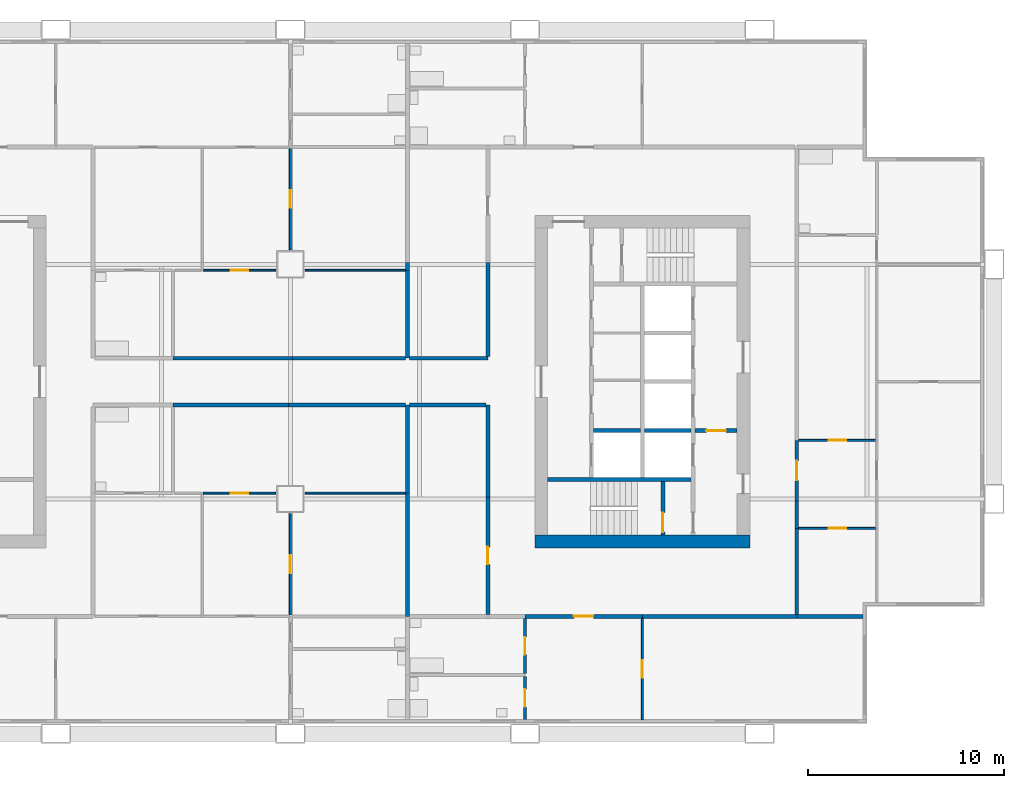
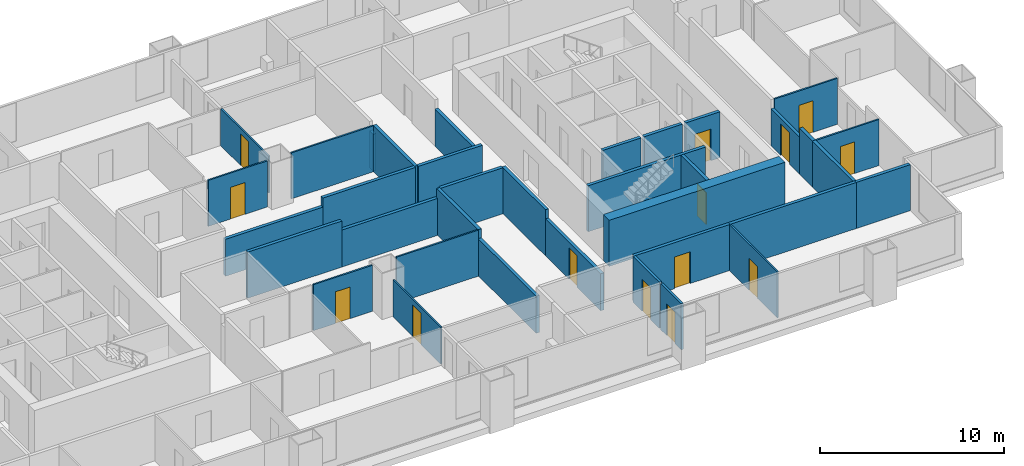
# One storey, part 5 of 10: 36 walls, 14 doors, 14 openings.
"""IFC4 building model written with IfcOpenShell, lengths in metres."""

from ifc_helpers import new_model, si_unit, direction, frame, frame_2d, origin, place, context, subcontext, project, spatial, rectangle, extrude, material, layer, layer_set, type_object, element, fill, save


model = new_model("IFC4")

# Units and contexts
model_context = context("Model", 3, precision=1e-05, world=origin(), true_north=direction((0.0, 1.0)))
body_context = subcontext(model_context, "Body", "Model", "MODEL_VIEW")
ifc_project = project(units=[si_unit("LENGTHUNIT", "METRE"), si_unit("AREAUNIT", "SQUARE_METRE"), si_unit("VOLUMEUNIT", "CUBIC_METRE"), si_unit("PLANEANGLEUNIT", "RADIAN"), si_unit("MASSUNIT", "GRAM", prefix="KILO")], contexts=[model_context])

# Site, building, storey
site_placement = place(None, origin())
site = spatial("IfcSite", under=ifc_project, at=site_placement, CompositionType="ELEMENT")
building_placement = place(site_placement, origin())
building = spatial("IfcBuilding", under=site, at=building_placement, Name="Kitamizu Gate Tower and Museum", CompositionType="ELEMENT")
storey_placement = place(building_placement, frame((0.0, 0.0, 117.300048828125)))
storey = spatial("IfcBuildingStorey", under=building, at=storey_placement, Name="L30", CompositionType="ELEMENT", Elevation=117.300048828125)

# Wall
ifc_material_1 = material(Name="Concrete Fc60", Category="concrete")
ifc_layer_1 = layer(ifc_material_1, 0.64990234375)
ifc_layer_set_1 = layer_set([ifc_layer_1], Name="Concrete Fc60")
wall_type_1 = type_object("IfcWallType", Name="Core wall 650", PredefinedType="SHEAR", material=ifc_layer_set_1)
wall_1_placement = place(storey_placement, frame((59.5, 21.824951171875, 0.0), z_axis=(0.0, 0.0, 1.0), x_axis=(-1.0, 0.0, 0.0)))
element("IfcWall", 1, at=wall_1_placement, inside=storey, type_object=wall_type_1, Name="Core wall ES", PredefinedType="SHEAR", context=body_context, shape_type="SweptSolid", body=[
    extrude(rectangle(XDim=11.0, YDim=0.64990234375, at=frame_2d((5.5, 0.0))), origin(), (0.0, 0.0, 1.0), 3.050048828125),
])

# Wall, opening, door
ifc_material_2 = material(Name="Gypsum board on galvanised stud")
ifc_layer_2 = layer(ifc_material_2, 0.10009765625)
ifc_layer_set_2 = layer_set([ifc_layer_2], Name="Gypsum board on galvanised stud")
wall_type_2 = type_object("IfcWallType", Name="Partition 100 NOT RATED", PredefinedType="PARTITIONING", material=ifc_layer_set_2)
wall_2_placement = place(storey_placement, frame((36.0, 18.074951171875, 0.0), z_axis=(0.0, 0.0, 1.0), x_axis=(0.0, 1.0, 0.0)))
wall_2 = element("IfcWall", 2, at=wall_2_placement, inside=storey, type_object=wall_type_2, Name="Partition L30-024", PredefinedType="PARTITIONING", context=body_context, shape_type="SweptSolid", body=[
    extrude(rectangle(XDim=5.175048828125, YDim=0.10009765625, at=frame_2d((2.58740234375, 0.0))), origin(), (0.0, 0.0, 1.0), 2.449951171875),
])
opening_1_placement = place(wall_2_placement, frame((2.137451171875, 0.0, 0.0)))
opening_1 = element("IfcOpeningElement", 3, at=opening_1_placement, cuts=wall_2, Name="Opening L30-008", PredefinedType="OPENING", context=body_context, shape_type="SweptSolid", body=[
    extrude(rectangle(XDim=0.89990234375, YDim=2.10009765625, at=frame_2d((0.449951171875, 1.050048828125))), frame((0.0, 0.06005859375, 0.0), z_axis=(0.0, -1.0, 0.0), x_axis=(1.0, 0.0, 0.0)), (0.0, 0.0, 1.0), 0.1201171875),
])
ifc_material_3 = material(Name="Timber door set", Category="wood")
door_type_1 = type_object("IfcDoorType", Name="Room door 900", OperationType="NOTDEFINED", PredefinedType="DOOR", material=ifc_material_3)
door_1_placement = place(opening_1_placement, origin())
door_1 = element("IfcDoor", 4, at=door_1_placement, inside=storey, type_object=door_type_1, Name="Door L30-008", OperationType="SINGLE_SWING_LEFT", OverallHeight=2.10009765625, OverallWidth=0.89990234375, PredefinedType="DOOR", context=body_context, shape_type="SweptSolid", body=[
    extrude(rectangle(XDim=0.89990234375, YDim=2.10009765625, at=frame_2d((0.449951171875, 1.050048828125))), frame((0.0, 0.02490234375, 0.0), z_axis=(0.0, -1.0, 0.0), x_axis=(1.0, 0.0, 0.0)), (0.0, 0.0, 1.0), 0.050048828125),
])
fill(opening_1, door_1)

wall_3_placement = place(storey_placement, frame((35.25, 24.300048828125, 0.0), z_axis=(0.0, 0.0, 1.0), x_axis=(-1.0, 0.0, 0.0)))
wall_3 = element("IfcWall", 5, at=wall_3_placement, inside=storey, type_object=wall_type_2, Name="Partition L30-025", PredefinedType="PARTITIONING", context=body_context, shape_type="SweptSolid", body=[
    extrude(rectangle(XDim=3.699951171875, YDim=0.10009765625, at=frame_2d((1.85009765625, 0.0))), origin(), (0.0, 0.0, 1.0), 3.050048828125),
])
opening_2_placement = place(wall_3_placement, frame((1.39990234375, 0.0, 0.0)))
opening_2 = element("IfcOpeningElement", 6, at=opening_2_placement, cuts=wall_3, Name="Opening L30-010", PredefinedType="OPENING", context=body_context, shape_type="SweptSolid", body=[
    extrude(rectangle(XDim=0.89990234375, YDim=2.10009765625, at=frame_2d((0.449951171875, 1.050048828125))), frame((0.0, 0.06005859375, 0.0), z_axis=(0.0, -1.0, 0.0), x_axis=(1.0, 0.0, 0.0)), (0.0, 0.0, 1.0), 0.1201171875),
])
door_2_placement = place(opening_2_placement, origin())
door_2 = element("IfcDoor", 7, at=door_2_placement, inside=storey, type_object=door_type_1, Name="Door L30-010", OperationType="SINGLE_SWING_LEFT", OverallHeight=2.10009765625, OverallWidth=0.89990234375, PredefinedType="DOOR", context=body_context, shape_type="SweptSolid", body=[
    extrude(rectangle(XDim=0.89990234375, YDim=2.10009765625, at=frame_2d((0.449951171875, 1.050048828125))), frame((0.0, 0.02490234375, 0.0), z_axis=(0.0, -1.0, 0.0), x_axis=(1.0, 0.0, 0.0)), (0.0, 0.0, 1.0), 0.050048828125),
])
fill(opening_2, door_2)

# Wall
wall_4_placement = place(storey_placement, frame((41.89990234375, 24.300048828125, 0.0), z_axis=(0.0, 0.0, 1.0), x_axis=(-1.0, 0.0, 0.0)))
element("IfcWall", 8, at=wall_4_placement, inside=storey, type_object=wall_type_2, Name="Partition L30-026", PredefinedType="PARTITIONING", context=body_context, shape_type="SweptSolid", body=[
    extrude(rectangle(XDim=5.14990234375, YDim=0.10009765625, at=frame_2d((2.574951171875, 0.0))), origin(), (0.0, 0.0, 1.0), 3.050048828125),
])

# Wall, opening, door
wall_5_placement = place(storey_placement, frame((36.0, 36.75, 0.0), z_axis=(0.0, 0.0, 1.0), x_axis=(0.0, 1.0, 0.0)))
wall_5 = element("IfcWall", 9, at=wall_5_placement, inside=storey, type_object=wall_type_2, Name="Partition L30-075", PredefinedType="PARTITIONING", context=body_context, shape_type="SweptSolid", body=[
    extrude(rectangle(XDim=5.175048828125, YDim=0.10009765625, at=frame_2d((2.58740234375, 0.0))), origin(), (0.0, 0.0, 1.0), 2.449951171875),
])
opening_3_placement = place(wall_5_placement, frame((2.137451171875, 0.0, 0.0)))
opening_3 = element("IfcOpeningElement", 10, at=opening_3_placement, cuts=wall_5, Name="Opening L30-027", PredefinedType="OPENING", context=body_context, shape_type="SweptSolid", body=[
    extrude(rectangle(XDim=0.89990234375, YDim=2.10009765625, at=frame_2d((0.449951171875, 1.050048828125))), frame((0.0, 0.06005859375, 0.0), z_axis=(0.0, -1.0, 0.0), x_axis=(1.0, 0.0, 0.0)), (0.0, 0.0, 1.0), 0.1201171875),
])
door_3_placement = place(opening_3_placement, origin())
door_3 = element("IfcDoor", 11, at=door_3_placement, inside=storey, type_object=door_type_1, Name="Door L30-027", OperationType="SINGLE_SWING_RIGHT", OverallHeight=2.10009765625, OverallWidth=0.89990234375, PredefinedType="DOOR", context=body_context, shape_type="SweptSolid", body=[
    extrude(rectangle(XDim=0.89990234375, YDim=2.10009765625, at=frame_2d((0.449951171875, 1.050048828125))), frame((0.0, 0.02490234375, 0.0), z_axis=(0.0, -1.0, 0.0), x_axis=(1.0, 0.0, 0.0)), (0.0, 0.0, 1.0), 0.050048828125),
])
fill(opening_3, door_3)

wall_6_placement = place(storey_placement, frame((31.550048828125, 35.699951171875, 0.0), z_axis=(0.0, 0.0, 1.0), x_axis=(1.0, 0.0, 0.0)))
wall_6 = element("IfcWall", 12, at=wall_6_placement, inside=storey, type_object=wall_type_2, Name="Partition L30-076", PredefinedType="PARTITIONING", context=body_context, shape_type="SweptSolid", body=[
    extrude(rectangle(XDim=3.699951171875, YDim=0.10009765625, at=frame_2d((1.85009765625, 0.0))), origin(), (0.0, 0.0, 1.0), 3.050048828125),
])
opening_4_placement = place(wall_6_placement, frame((1.39990234375, 0.0, 0.0)))
opening_4 = element("IfcOpeningElement", 13, at=opening_4_placement, cuts=wall_6, Name="Opening L30-029", PredefinedType="OPENING", context=body_context, shape_type="SweptSolid", body=[
    extrude(rectangle(XDim=0.89990234375, YDim=2.10009765625, at=frame_2d((0.449951171875, 1.050048828125))), frame((0.0, 0.06005859375, 0.0), z_axis=(0.0, -1.0, 0.0), x_axis=(1.0, 0.0, 0.0)), (0.0, 0.0, 1.0), 0.1201171875),
])
door_4_placement = place(opening_4_placement, origin())
door_4 = element("IfcDoor", 14, at=door_4_placement, inside=storey, type_object=door_type_1, Name="Door L30-029", OperationType="SINGLE_SWING_RIGHT", OverallHeight=2.10009765625, OverallWidth=0.89990234375, PredefinedType="DOOR", context=body_context, shape_type="SweptSolid", body=[
    extrude(rectangle(XDim=0.89990234375, YDim=2.10009765625, at=frame_2d((0.449951171875, 1.050048828125))), frame((0.0, 0.02490234375, 0.0), z_axis=(0.0, -1.0, 0.0), x_axis=(1.0, 0.0, 0.0)), (0.0, 0.0, 1.0), 0.050048828125),
])
fill(opening_4, door_4)

# Wall
wall_7_placement = place(storey_placement, frame((36.75, 35.699951171875, 0.0), z_axis=(0.0, 0.0, 1.0), x_axis=(1.0, 0.0, 0.0)))
element("IfcWall", 15, at=wall_7_placement, inside=storey, type_object=wall_type_2, Name="Partition L30-077", PredefinedType="PARTITIONING", context=body_context, shape_type="SweptSolid", body=[
    extrude(rectangle(XDim=5.14990234375, YDim=0.10009765625, at=frame_2d((2.574951171875, 0.0))), origin(), (0.0, 0.0, 1.0), 3.050048828125),
])

# Wall, opening, door
wall_8_placement = place(storey_placement, frame((54.0, 12.719970703125, 0.0), z_axis=(0.0, 0.0, 1.0), x_axis=(0.0, 1.0, 0.0)))
wall_8 = element("IfcWall", 16, at=wall_8_placement, inside=storey, type_object=wall_type_2, Name="Partition L30-091", PredefinedType="PARTITIONING", context=body_context, shape_type="SweptSolid", body=[
    extrude(rectangle(XDim=5.179931640625, YDim=0.10009765625, at=frame_2d((2.58984375, 0.0))), origin(), (0.0, 0.0, 1.0), 3.050048828125),
])
opening_5_placement = place(wall_8_placement, frame((2.139892578125, 0.0, 0.0)))
opening_5 = element("IfcOpeningElement", 17, at=opening_5_placement, cuts=wall_8, Name="Opening L30-032", PredefinedType="OPENING", context=body_context, shape_type="SweptSolid", body=[
    extrude(rectangle(XDim=0.89990234375, YDim=2.10009765625, at=frame_2d((0.449951171875, 1.050048828125))), frame((0.0, 0.06005859375, 0.0), z_axis=(0.0, -1.0, 0.0), x_axis=(1.0, 0.0, 0.0)), (0.0, 0.0, 1.0), 0.1201171875),
])
door_5_placement = place(opening_5_placement, frame((0.89990234375, 0.0, 0.0), x_axis=(-1.0, 0.0, 0.0)))
door_5 = element("IfcDoor", 18, at=door_5_placement, inside=storey, type_object=door_type_1, Name="Door L30-032", OperationType="SINGLE_SWING_RIGHT", OverallHeight=2.10009765625, OverallWidth=0.89990234375, PredefinedType="DOOR", context=body_context, shape_type="SweptSolid", body=[
    extrude(rectangle(XDim=0.89990234375, YDim=2.10009765625, at=frame_2d((0.449951171875, 1.050048828125))), frame((0.0, 0.02490234375, 0.0), z_axis=(0.0, -1.0, 0.0), x_axis=(1.0, 0.0, 0.0)), (0.0, 0.0, 1.0), 0.050048828125),
])
fill(opening_5, door_5)

wall_9_placement = place(storey_placement, frame((65.949951171875, 22.5, 0.0), z_axis=(0.0, 0.0, 1.0), x_axis=(-1.0, 0.0, 0.0)))
wall_9 = element("IfcWall", 19, at=wall_9_placement, inside=storey, type_object=wall_type_2, Name="Partition L30-107", PredefinedType="PARTITIONING", context=body_context, shape_type="SweptSolid", body=[
    extrude(rectangle(XDim=3.949951171875, YDim=0.10009765625, at=frame_2d((1.97509765625, 0.0))), origin(), (0.0, 0.0, 1.0), 3.050048828125),
])
opening_6_placement = place(wall_9_placement, frame((1.52490234375, 0.0, 0.0)))
opening_6 = element("IfcOpeningElement", 20, at=opening_6_placement, cuts=wall_9, Name="Opening L30-040", PredefinedType="OPENING", context=body_context, shape_type="SweptSolid", body=[
    extrude(rectangle(XDim=0.89990234375, YDim=2.10009765625, at=frame_2d((0.449951171875, 1.050048828125))), frame((0.0, 0.06005859375, 0.0), z_axis=(0.0, -1.0, 0.0), x_axis=(1.0, 0.0, 0.0)), (0.0, 0.0, 1.0), 0.1201171875),
])
door_6_placement = place(opening_6_placement, origin())
door_6 = element("IfcDoor", 21, at=door_6_placement, inside=storey, type_object=door_type_1, Name="Door L30-040", OperationType="SINGLE_SWING_LEFT", OverallHeight=2.10009765625, OverallWidth=0.89990234375, PredefinedType="DOOR", context=body_context, shape_type="SweptSolid", body=[
    extrude(rectangle(XDim=0.89990234375, YDim=2.10009765625, at=frame_2d((0.449951171875, 1.050048828125))), frame((0.0, 0.02490234375, 0.0), z_axis=(0.0, -1.0, 0.0), x_axis=(1.0, 0.0, 0.0)), (0.0, 0.0, 1.0), 0.050048828125),
])
fill(opening_6, door_6)

wall_10_placement = place(storey_placement, frame((65.949951171875, 27.0, 0.0), z_axis=(0.0, 0.0, 1.0), x_axis=(-1.0, 0.0, 0.0)))
wall_10 = element("IfcWall", 22, at=wall_10_placement, inside=storey, type_object=wall_type_2, Name="Partition L30-109", PredefinedType="PARTITIONING", context=body_context, shape_type="SweptSolid", body=[
    extrude(rectangle(XDim=3.949951171875, YDim=0.10009765625, at=frame_2d((1.97509765625, 0.0))), origin(), (0.0, 0.0, 1.0), 3.050048828125),
])
opening_7_placement = place(wall_10_placement, frame((1.52490234375, 0.0, 0.0)))
opening_7 = element("IfcOpeningElement", 23, at=opening_7_placement, cuts=wall_10, Name="Opening L30-037", PredefinedType="OPENING", context=body_context, shape_type="SweptSolid", body=[
    extrude(rectangle(XDim=0.89990234375, YDim=2.10009765625, at=frame_2d((0.449951171875, 1.050048828125))), frame((0.0, 0.06005859375, 0.0), z_axis=(0.0, -1.0, 0.0), x_axis=(1.0, 0.0, 0.0)), (0.0, 0.0, 1.0), 0.1201171875),
])
door_7_placement = place(opening_7_placement, origin())
door_7 = element("IfcDoor", 24, at=door_7_placement, inside=storey, type_object=door_type_1, Name="Door L30-037", OperationType="SINGLE_SWING_LEFT", OverallHeight=2.10009765625, OverallWidth=0.89990234375, PredefinedType="DOOR", context=body_context, shape_type="SweptSolid", body=[
    extrude(rectangle(XDim=0.89990234375, YDim=2.10009765625, at=frame_2d((0.449951171875, 1.050048828125))), frame((0.0, 0.02490234375, 0.0), z_axis=(0.0, -1.0, 0.0), x_axis=(1.0, 0.0, 0.0)), (0.0, 0.0, 1.0), 0.050048828125),
])
fill(opening_7, door_7)

ifc_material_4 = material(Name="Gypsum board on galvanised stud")
ifc_layer_3 = layer(ifc_material_4, 0.14990234375)
ifc_layer_set_3 = layer_set([ifc_layer_3], Name="Gypsum board on galvanised stud")
wall_type_3 = type_object("IfcWallType", Name="Partition 150", PredefinedType="PARTITIONING", material=ifc_layer_set_3)
wall_11_placement = place(storey_placement, frame((48.0, 12.719970703125, 0.0), z_axis=(0.0, 0.0, 1.0), x_axis=(0.0, 1.0, 0.0)))
wall_11 = element("IfcWall", 25, at=wall_11_placement, inside=storey, type_object=wall_type_3, Name="Partition L30-087", PredefinedType="PARTITIONING", context=body_context, shape_type="SweptSolid", body=[
    extrude(rectangle(XDim=2.205078125, YDim=0.14990234375, at=frame_2d((1.1025390625, 0.0))), origin(), (0.0, 0.0, 1.0), 3.050048828125),
])
opening_8_placement = place(wall_11_placement, frame((0.652587890625, 0.0, 0.0)))
opening_8 = element("IfcOpeningElement", 26, at=opening_8_placement, cuts=wall_11, Name="Opening L30-033", PredefinedType="OPENING", context=body_context, shape_type="SweptSolid", body=[
    extrude(rectangle(XDim=0.89990234375, YDim=2.10009765625, at=frame_2d((0.449951171875, 1.050048828125))), frame((0.0, 0.0849609375, 0.0), z_axis=(0.0, -1.0, 0.0), x_axis=(1.0, 0.0, 0.0)), (0.0, 0.0, 1.0), 0.169921875),
])
ifc_material_5 = material(Name="Timber door set", Category="wood")
door_type_2 = type_object("IfcDoorType", Name="Bathroom door 900", OperationType="NOTDEFINED", PredefinedType="DOOR", material=ifc_material_5)
door_8_placement = place(opening_8_placement, origin())
door_8 = element("IfcDoor", 27, at=door_8_placement, inside=storey, type_object=door_type_2, Name="Bathroom door L30-033", OperationType="SINGLE_SWING_RIGHT", OverallHeight=2.10009765625, OverallWidth=0.89990234375, PredefinedType="DOOR", context=body_context, shape_type="SweptSolid", body=[
    extrude(rectangle(XDim=0.89990234375, YDim=2.10009765625, at=frame_2d((0.449951171875, 1.050048828125))), frame((0.0, 0.02490234375, 0.0), z_axis=(0.0, -1.0, 0.0), x_axis=(1.0, 0.0, 0.0)), (0.0, 0.0, 1.0), 0.050048828125),
])
fill(opening_8, door_8)

wall_12_placement = place(storey_placement, frame((48.0, 15.074951171875, 0.0), z_axis=(0.0, 0.0, 1.0), x_axis=(0.0, 1.0, 0.0)))
wall_12 = element("IfcWall", 28, at=wall_12_placement, inside=storey, type_object=wall_type_3, Name="Partition L30-088", PredefinedType="PARTITIONING", context=body_context, shape_type="SweptSolid", body=[
    extrude(rectangle(XDim=2.824951171875, YDim=0.14990234375, at=frame_2d((1.41259765625, 0.0))), origin(), (0.0, 0.0, 1.0), 3.050048828125),
])
opening_9_placement = place(wall_12_placement, frame((0.96240234375, 0.0, 0.0)))
opening_9 = element("IfcOpeningElement", 29, at=opening_9_placement, cuts=wall_12, Name="Opening L30-034", PredefinedType="OPENING", context=body_context, shape_type="SweptSolid", body=[
    extrude(rectangle(XDim=0.89990234375, YDim=2.10009765625, at=frame_2d((0.449951171875, 1.050048828125))), frame((0.0, 0.0849609375, 0.0), z_axis=(0.0, -1.0, 0.0), x_axis=(1.0, 0.0, 0.0)), (0.0, 0.0, 1.0), 0.169921875),
])
door_9_placement = place(opening_9_placement, origin())
door_9 = element("IfcDoor", 30, at=door_9_placement, inside=storey, type_object=door_type_2, Name="Bathroom door L30-034", OperationType="SINGLE_SWING_LEFT", OverallHeight=2.10009765625, OverallWidth=0.89990234375, PredefinedType="DOOR", context=body_context, shape_type="SweptSolid", body=[
    extrude(rectangle(XDim=0.89990234375, YDim=2.10009765625, at=frame_2d((0.449951171875, 1.050048828125))), frame((0.0, 0.02490234375, 0.0), z_axis=(0.0, -1.0, 0.0), x_axis=(1.0, 0.0, 0.0)), (0.0, 0.0, 1.0), 0.050048828125),
])
fill(opening_9, door_9)

# Walls
ifc_material_6 = material(Name="Gypsum board on galvanised stud")
ifc_layer_4 = layer(ifc_material_6, 0.199951171875)
ifc_layer_set_4 = layer_set([ifc_layer_4], Name="Gypsum board on galvanised stud")
wall_type_4 = type_object("IfcWallType", Name="Partition 200", PredefinedType="PARTITIONING", material=ifc_layer_set_4)
wall_13_placement = place(storey_placement, frame((42.0, 18.0, 0.0), z_axis=(0.0, 0.0, 1.0), x_axis=(0.0, 1.0, 0.0)))
element("IfcWall", 31, at=wall_13_placement, inside=storey, type_object=wall_type_4, Name="Partition L30-027", PredefinedType="PARTITIONING", context=body_context, shape_type="SweptSolid", body=[
    extrude(rectangle(XDim=6.300048828125, YDim=0.199951171875, at=frame_2d((3.14990234375, 0.0))), origin(), (0.0, 0.0, 1.0), 2.449951171875),
])
wall_14_placement = place(storey_placement, frame((42.0, 24.300048828125, 0.0), z_axis=(0.0, 0.0, 1.0), x_axis=(0.0, 1.0, 0.0)))
element("IfcWall", 32, at=wall_14_placement, inside=storey, type_object=wall_type_4, Name="Partition L30-031", PredefinedType="PARTITIONING", context=body_context, shape_type="SweptSolid", body=[
    extrude(rectangle(XDim=4.5, YDim=0.199951171875, at=frame_2d((2.25, 0.0))), origin(), (0.0, 0.0, 1.0), 3.050048828125),
])
wall_15_placement = place(storey_placement, frame((41.89990234375, 28.800048828125, 0.0), z_axis=(0.0, 0.0, 1.0), x_axis=(-1.0, 0.0, 0.0)))
element("IfcWall", 33, at=wall_15_placement, inside=storey, type_object=wall_type_4, Name="Partition L30-032", PredefinedType="PARTITIONING", context=body_context, shape_type="SweptSolid", body=[
    extrude(rectangle(XDim=6.0, YDim=0.199951171875, at=frame_2d((3.0, 0.0))), origin(), (0.0, 0.0, 1.0), 2.449951171875),
])
wall_16_placement = place(storey_placement, frame((35.89990234375, 28.800048828125, 0.0), z_axis=(0.0, 0.0, 1.0), x_axis=(-1.0, 0.0, 0.0)))
element("IfcWall", 34, at=wall_16_placement, inside=storey, type_object=wall_type_4, Name="Partition L30-033", PredefinedType="PARTITIONING", context=body_context, shape_type="SweptSolid", body=[
    extrude(rectangle(XDim=5.89990234375, YDim=0.199951171875, at=frame_2d((2.949951171875, 0.0))), origin(), (0.0, 0.0, 1.0), 3.050048828125),
])
wall_17_placement = place(storey_placement, frame((42.0, 35.699951171875, 0.0), z_axis=(0.0, 0.0, 1.0), x_axis=(0.0, 1.0, 0.0)))
element("IfcWall", 35, at=wall_17_placement, inside=storey, type_object=wall_type_4, Name="Partition L30-078", PredefinedType="PARTITIONING", context=body_context, shape_type="SweptSolid", body=[
    extrude(rectangle(XDim=0.400146484375, YDim=0.199951171875, at=frame_2d((0.2001953125, 0.0))), origin(), (0.0, 0.0, 1.0), 2.449951171875),
])
wall_18_placement = place(storey_placement, frame((42.0, 31.199951171875, 0.0), z_axis=(0.0, 0.0, 1.0), x_axis=(0.0, 1.0, 0.0)))
element("IfcWall", 36, at=wall_18_placement, inside=storey, type_object=wall_type_4, Name="Partition L30-083", PredefinedType="PARTITIONING", context=body_context, shape_type="SweptSolid", body=[
    extrude(rectangle(XDim=4.5, YDim=0.199951171875, at=frame_2d((2.25, 0.0))), origin(), (0.0, 0.0, 1.0), 3.050048828125),
])
wall_19_placement = place(storey_placement, frame((30.0, 31.199951171875, 0.0), z_axis=(0.0, 0.0, 1.0), x_axis=(1.0, 0.0, 0.0)))
element("IfcWall", 37, at=wall_19_placement, inside=storey, type_object=wall_type_4, Name="Partition L30-084", PredefinedType="PARTITIONING", context=body_context, shape_type="SweptSolid", body=[
    extrude(rectangle(XDim=6.10009765625, YDim=0.199951171875, at=frame_2d((3.050048828125, 0.0))), origin(), (0.0, 0.0, 1.0), 2.449951171875),
])
wall_20_placement = place(storey_placement, frame((36.10009765625, 31.199951171875, 0.0), z_axis=(0.0, 0.0, 1.0), x_axis=(1.0, 0.0, 0.0)))
element("IfcWall", 38, at=wall_20_placement, inside=storey, type_object=wall_type_4, Name="Partition L30-085", PredefinedType="PARTITIONING", context=body_context, shape_type="SweptSolid", body=[
    extrude(rectangle(XDim=5.7998046875, YDim=0.199951171875, at=frame_2d((2.89990234375, 0.0))), origin(), (0.0, 0.0, 1.0), 3.050048828125),
])

# Wall, opening, door
wall_21_placement = place(storey_placement, frame((54.0, 18.0, 0.0), z_axis=(0.0, 0.0, 1.0), x_axis=(-1.0, 0.0, 0.0)))
wall_21 = element("IfcWall", 39, at=wall_21_placement, inside=storey, type_object=wall_type_4, Name="Partition L30-092", PredefinedType="PARTITIONING", context=body_context, shape_type="SweptSolid", body=[
    extrude(rectangle(XDim=6.0, YDim=0.199951171875, at=frame_2d((3.0, 0.0))), origin(), (0.0, 0.0, 1.0), 3.050048828125),
])
opening_10_placement = place(wall_21_placement, frame((2.5, 0.0, 0.0)))
opening_10 = element("IfcOpeningElement", 40, at=opening_10_placement, cuts=wall_21, Name="Opening L30-031", PredefinedType="OPENING", context=body_context, shape_type="SweptSolid", body=[
    extrude(rectangle(XDim=1.0, YDim=2.10009765625, at=frame_2d((0.5, 1.050048828125))), frame((0.0, 0.10986328125, 0.0), z_axis=(0.0, -1.0, 0.0), x_axis=(1.0, 0.0, 0.0)), (0.0, 0.0, 1.0), 0.219970703125),
])
ifc_material_7 = material(Name="Timber door set", Category="wood")
door_type_3 = type_object("IfcDoorType", Name="Flat entrance door 1000", OperationType="NOTDEFINED", PredefinedType="DOOR", material=ifc_material_7)
door_10_placement = place(opening_10_placement, origin())
door_10 = element("IfcDoor", 41, at=door_10_placement, inside=storey, type_object=door_type_3, Name="Flat entrance door L30-031", OperationType="SINGLE_SWING_RIGHT", OverallHeight=2.10009765625, OverallWidth=1.0, PredefinedType="DOOR", context=body_context, shape_type="SweptSolid", body=[
    extrude(rectangle(XDim=1.0, YDim=2.10009765625, at=frame_2d((0.5, 1.050048828125))), frame((0.0, 0.02490234375, 0.0), z_axis=(0.0, -1.0, 0.0), x_axis=(1.0, 0.0, 0.0)), (0.0, 0.0, 1.0), 0.050048828125),
])
fill(opening_10, door_10)

# Walls
wall_22_placement = place(storey_placement, frame((65.280029296875, 18.0, 0.0), z_axis=(0.0, 0.0, 1.0), x_axis=(-1.0, 0.0, 0.0)))
element("IfcWall", 42, at=wall_22_placement, inside=storey, type_object=wall_type_4, Name="Partition L30-093", PredefinedType="PARTITIONING", context=body_context, shape_type="SweptSolid", body=[
    extrude(rectangle(XDim=3.380126953125, YDim=0.199951171875, at=frame_2d((1.68994140625, 0.0))), origin(), (0.0, 0.0, 1.0), 3.050048828125),
])
wall_23_placement = place(storey_placement, frame((61.89990234375, 18.0, 0.0), z_axis=(0.0, 0.0, 1.0), x_axis=(-1.0, 0.0, 0.0)))
element("IfcWall", 43, at=wall_23_placement, inside=storey, type_object=wall_type_4, Name="Partition L30-094", PredefinedType="PARTITIONING", context=body_context, shape_type="SweptSolid", body=[
    extrude(rectangle(XDim=7.89990234375, YDim=0.199951171875, at=frame_2d((3.949951171875, 0.0))), origin(), (0.0, 0.0, 1.0), 3.050048828125),
])

# Wall, opening, door
wall_24_placement = place(storey_placement, frame((46.10009765625, 18.10009765625, 0.0), z_axis=(0.0, 0.0, 1.0), x_axis=(0.0, 1.0, 0.0)))
wall_24 = element("IfcWall", 44, at=wall_24_placement, inside=storey, type_object=wall_type_4, Name="Partition L30-095", PredefinedType="PARTITIONING", context=body_context, shape_type="SweptSolid", body=[
    extrude(rectangle(XDim=6.0, YDim=0.199951171875, at=frame_2d((3.0, 0.0))), origin(), (0.0, 0.0, 1.0), 2.449951171875),
])
opening_11_placement = place(wall_24_placement, frame((2.550048828125, 0.0, 0.0)))
opening_11 = element("IfcOpeningElement", 45, at=opening_11_placement, cuts=wall_24, Name="Opening L30-046", PredefinedType="OPENING", context=body_context, shape_type="SweptSolid", body=[
    extrude(rectangle(XDim=0.89990234375, YDim=2.10009765625, at=frame_2d((0.449951171875, 1.050048828125))), frame((0.0, 0.10986328125, 0.0), z_axis=(0.0, -1.0, 0.0), x_axis=(1.0, 0.0, 0.0)), (0.0, 0.0, 1.0), 0.219970703125),
])
door_11_placement = place(opening_11_placement, origin())
door_11 = element("IfcDoor", 46, at=door_11_placement, inside=storey, type_object=door_type_1, Name="Door L30-046", OperationType="SINGLE_SWING_LEFT", OverallHeight=2.10009765625, OverallWidth=0.89990234375, PredefinedType="DOOR", context=body_context, shape_type="SweptSolid", body=[
    extrude(rectangle(XDim=0.89990234375, YDim=2.10009765625, at=frame_2d((0.449951171875, 1.050048828125))), frame((0.0, 0.02490234375, 0.0), z_axis=(0.0, -1.0, 0.0), x_axis=(1.0, 0.0, 0.0)), (0.0, 0.0, 1.0), 0.050048828125),
])
fill(opening_11, door_11)

# Walls
wall_25_placement = place(storey_placement, frame((46.10009765625, 24.10009765625, 0.0), z_axis=(0.0, 0.0, 1.0), x_axis=(0.0, 1.0, 0.0)))
element("IfcWall", 47, at=wall_25_placement, inside=storey, type_object=wall_type_4, Name="Partition L30-096", PredefinedType="PARTITIONING", context=body_context, shape_type="SweptSolid", body=[
    extrude(rectangle(XDim=4.699951171875, YDim=0.199951171875, at=frame_2d((2.35009765625, 0.0))), origin(), (0.0, 0.0, 1.0), 3.050048828125),
])
wall_26_placement = place(storey_placement, frame((46.0, 28.800048828125, 0.0), z_axis=(0.0, 0.0, 1.0), x_axis=(-1.0, 0.0, 0.0)))
element("IfcWall", 48, at=wall_26_placement, inside=storey, type_object=wall_type_4, Name="Partition L30-097", PredefinedType="PARTITIONING", context=body_context, shape_type="SweptSolid", body=[
    extrude(rectangle(XDim=3.89990234375, YDim=0.199951171875, at=frame_2d((1.949951171875, 0.0))), origin(), (0.0, 0.0, 1.0), 3.050048828125),
])
wall_27_placement = place(storey_placement, frame((61.89990234375, 22.5, 0.0), z_axis=(0.0, 0.0, 1.0), x_axis=(0.0, -1.0, 0.0)))
element("IfcWall", 49, at=wall_27_placement, inside=storey, type_object=wall_type_4, Name="Partition L30-108", PredefinedType="PARTITIONING", context=body_context, shape_type="SweptSolid", body=[
    extrude(rectangle(XDim=4.39990234375, YDim=0.199951171875, at=frame_2d((2.199951171875, 0.0))), origin(), (0.0, 0.0, 1.0), 3.050048828125),
])

# Wall, opening, door
wall_28_placement = place(storey_placement, frame((61.89990234375, 27.0, 0.0), z_axis=(0.0, 0.0, 1.0), x_axis=(0.0, -1.0, 0.0)))
wall_28 = element("IfcWall", 50, at=wall_28_placement, inside=storey, type_object=wall_type_4, Name="Partition L30-110", PredefinedType="PARTITIONING", context=body_context, shape_type="SweptSolid", body=[
    extrude(rectangle(XDim=3.10009765625, YDim=0.199951171875, at=frame_2d((1.550048828125, 0.0))), origin(), (0.0, 0.0, 1.0), 2.449951171875),
])
opening_12_placement = place(wall_28_placement, frame((1.050048828125, 0.0, 0.0)))
opening_12 = element("IfcOpeningElement", 51, at=opening_12_placement, cuts=wall_28, Name="Opening L30-035", PredefinedType="OPENING", context=body_context, shape_type="SweptSolid", body=[
    extrude(rectangle(XDim=1.0, YDim=2.10009765625, at=frame_2d((0.5, 1.050048828125))), frame((0.0, 0.10986328125, 0.0), z_axis=(0.0, -1.0, 0.0), x_axis=(1.0, 0.0, 0.0)), (0.0, 0.0, 1.0), 0.219970703125),
])
door_12_placement = place(opening_12_placement, origin())
door_12 = element("IfcDoor", 52, at=door_12_placement, inside=storey, type_object=door_type_3, Name="Flat entrance door L30-035", OperationType="SINGLE_SWING_RIGHT", OverallHeight=2.10009765625, OverallWidth=1.0, PredefinedType="DOOR", context=body_context, shape_type="SweptSolid", body=[
    extrude(rectangle(XDim=1.0, YDim=2.10009765625, at=frame_2d((0.5, 1.050048828125))), frame((0.0, 0.02490234375, 0.0), z_axis=(0.0, -1.0, 0.0), x_axis=(1.0, 0.0, 0.0)), (0.0, 0.0, 1.0), 0.050048828125),
])
fill(opening_12, door_12)

# Walls
wall_29_placement = place(storey_placement, frame((61.89990234375, 23.89990234375, 0.0), z_axis=(0.0, 0.0, 1.0), x_axis=(0.0, -1.0, 0.0)))
element("IfcWall", 53, at=wall_29_placement, inside=storey, type_object=wall_type_4, Name="Partition L30-111", PredefinedType="PARTITIONING", context=body_context, shape_type="SweptSolid", body=[
    extrude(rectangle(XDim=1.39990234375, YDim=0.199951171875, at=frame_2d((0.699951171875, 0.0))), origin(), (0.0, 0.0, 1.0), 3.050048828125),
])
wall_30_placement = place(storey_placement, frame((42.10009765625, 31.199951171875, 0.0), z_axis=(0.0, 0.0, 1.0), x_axis=(1.0, 0.0, 0.0)))
element("IfcWall", 54, at=wall_30_placement, inside=storey, type_object=wall_type_4, Name="Partition L30-125", PredefinedType="PARTITIONING", context=body_context, shape_type="SweptSolid", body=[
    extrude(rectangle(XDim=4.0, YDim=0.199951171875, at=frame_2d((2.0, 0.0))), origin(), (0.0, 0.0, 1.0), 3.050048828125),
])
wall_31_placement = place(storey_placement, frame((46.10009765625, 31.300048828125, 0.0), z_axis=(0.0, 0.0, 1.0), x_axis=(0.0, 1.0, 0.0)))
element("IfcWall", 55, at=wall_31_placement, inside=storey, type_object=wall_type_4, Name="Partition L30-126", PredefinedType="PARTITIONING", context=body_context, shape_type="SweptSolid", body=[
    extrude(rectangle(XDim=4.800048828125, YDim=0.199951171875, at=frame_2d((2.39990234375, 0.0))), origin(), (0.0, 0.0, 1.0), 2.449951171875),
])
ifc_material_8 = material(Name="Concrete Fc42", Category="concrete")
ifc_layer_5 = layer(ifc_material_8, 0.199951171875)
ifc_layer_set_5 = layer_set([ifc_layer_5], Name="Concrete Fc42")
wall_type_5 = type_object("IfcWallType", Name="Shaft wall 200", PredefinedType="SOLIDWALL", material=ifc_layer_set_5)
wall_32_placement = place(storey_placement, frame((56.5, 25.0, 0.0), z_axis=(0.0, 0.0, 1.0), x_axis=(-1.0, 0.0, 0.0)))
element("IfcWall", 56, at=wall_32_placement, inside=storey, type_object=wall_type_5, Name="Shaft wall ESB", PredefinedType="SOLIDWALL", context=body_context, shape_type="SweptSolid", body=[
    extrude(rectangle(XDim=7.35009765625, YDim=0.199951171875, at=frame_2d((3.675048828125, 0.0))), origin(), (0.0, 0.0, 1.0), 3.050048828125),
])

# Wall, opening, door
wall_33_placement = place(storey_placement, frame((58.85009765625, 27.5, 0.0), z_axis=(0.0, 0.0, 1.0), x_axis=(-1.0, 0.0, 0.0)))
wall_33 = element("IfcWall", 57, at=wall_33_placement, inside=storey, type_object=wall_type_5, Name="Shaft wall EFFN", PredefinedType="SOLIDWALL", context=body_context, shape_type="SweptSolid", body=[
    extrude(rectangle(XDim=2.150146484375, YDim=0.199951171875, at=frame_2d((1.0751953125, 0.0))), origin(), (0.0, 0.0, 1.0), 3.050048828125),
])
opening_13_placement = place(wall_33_placement, frame((0.574951171875, 0.0, 0.0)))
opening_13 = element("IfcOpeningElement", 58, at=opening_13_placement, cuts=wall_33, Name="Opening L30-064", PredefinedType="OPENING", context=body_context, shape_type="SweptSolid", body=[
    extrude(rectangle(XDim=1.0, YDim=2.10009765625, at=frame_2d((0.5, 1.050048828125))), frame((0.0, 0.10986328125, 0.0), z_axis=(0.0, -1.0, 0.0), x_axis=(1.0, 0.0, 0.0)), (0.0, 0.0, 1.0), 0.219970703125),
])
ifc_material_9 = material(Name="Hollow metal door set")
door_type_4 = type_object("IfcDoorType", Name="Fire door 1000", OperationType="NOTDEFINED", PredefinedType="DOOR", material=ifc_material_9)
door_13_placement = place(opening_13_placement, origin())
door_13 = element("IfcDoor", 59, at=door_13_placement, inside=storey, type_object=door_type_4, Name="Fire-fighting lobby door L30-064", OperationType="SINGLE_SWING_RIGHT", OverallHeight=2.10009765625, OverallWidth=1.0, PredefinedType="DOOR", context=body_context, shape_type="SweptSolid", body=[
    extrude(rectangle(XDim=1.0, YDim=2.10009765625, at=frame_2d((0.5, 1.050048828125))), frame((0.0, 0.02490234375, 0.0), z_axis=(0.0, -1.0, 0.0), x_axis=(1.0, 0.0, 0.0)), (0.0, 0.0, 1.0), 0.050048828125),
])
fill(opening_13, door_13)

wall_34_placement = place(storey_placement, frame((55.050048828125, 22.14990234375, 0.0), z_axis=(0.0, 0.0, 1.0), x_axis=(0.0, 1.0, 0.0)))
wall_34 = element("IfcWall", 60, at=wall_34_placement, inside=storey, type_object=wall_type_5, Name="Shaft wall ESZ", PredefinedType="SOLIDWALL", context=body_context, shape_type="SweptSolid", body=[
    extrude(rectangle(XDim=2.75, YDim=0.199951171875, at=frame_2d((1.375, 0.0))), origin(), (0.0, 0.0, 1.0), 3.050048828125),
])
opening_14_placement = place(wall_34_placement, frame((0.14990234375, 0.0, 0.0)))
opening_14 = element("IfcOpeningElement", 61, at=opening_14_placement, cuts=wall_34, Name="Opening L30-060", PredefinedType="OPENING", context=body_context, shape_type="SweptSolid", body=[
    extrude(rectangle(XDim=1.0, YDim=2.10009765625, at=frame_2d((0.5, 1.050048828125))), frame((0.0, 0.10986328125, 0.0), z_axis=(0.0, -1.0, 0.0), x_axis=(1.0, 0.0, 0.0)), (0.0, 0.0, 1.0), 0.219970703125),
])
door_14_placement = place(opening_14_placement, origin())
door_14 = element("IfcDoor", 62, at=door_14_placement, inside=storey, type_object=door_type_4, Name="Stair door L30-060", OperationType="SINGLE_SWING_RIGHT", OverallHeight=2.10009765625, OverallWidth=1.0, PredefinedType="DOOR", context=body_context, shape_type="SweptSolid", body=[
    extrude(rectangle(XDim=1.0, YDim=2.10009765625, at=frame_2d((0.5, 1.050048828125))), frame((0.0, 0.02490234375, 0.0), z_axis=(0.0, -1.0, 0.0), x_axis=(1.0, 0.0, 0.0)), (0.0, 0.0, 1.0), 0.050048828125),
])
fill(opening_14, door_14)

# Walls
for number, where, z_axis, x_axis, name in (
    (63, (56.5, 27.5, 0.0), (0.0, 0.0, 1.0), (-1.0, 0.0, 0.0), "Shaft wall EDVW0"),
    (64, (53.89990234375, 27.5, 0.0), (0.0, 0.0, 1.0), (-1.0, 0.0, 0.0), "Shaft wall EDVE0"),
):
    element("IfcWall", number, at=place(storey_placement, frame(where, z_axis=z_axis, x_axis=x_axis)), inside=storey, type_object=wall_type_5, Name=name, PredefinedType="SOLIDWALL", context=body_context, shape_type="SweptSolid", body=[
        extrude(rectangle(XDim=2.39990234375, YDim=0.199951171875, at=frame_2d((1.199951171875, 0.0))), origin(), (0.0, 0.0, 1.0), 3.050048828125),
    ])

save(model, "model.ifc")
